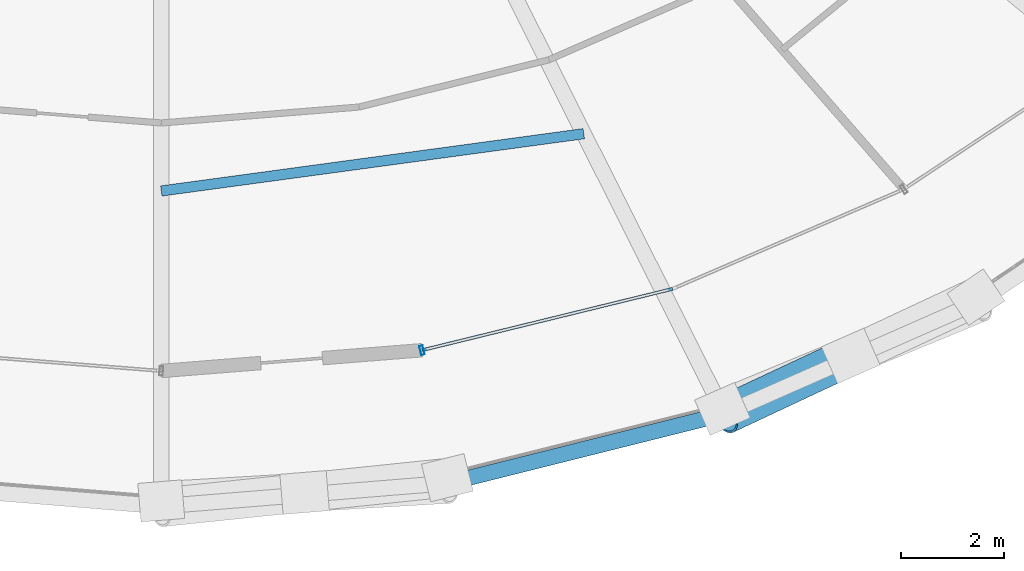
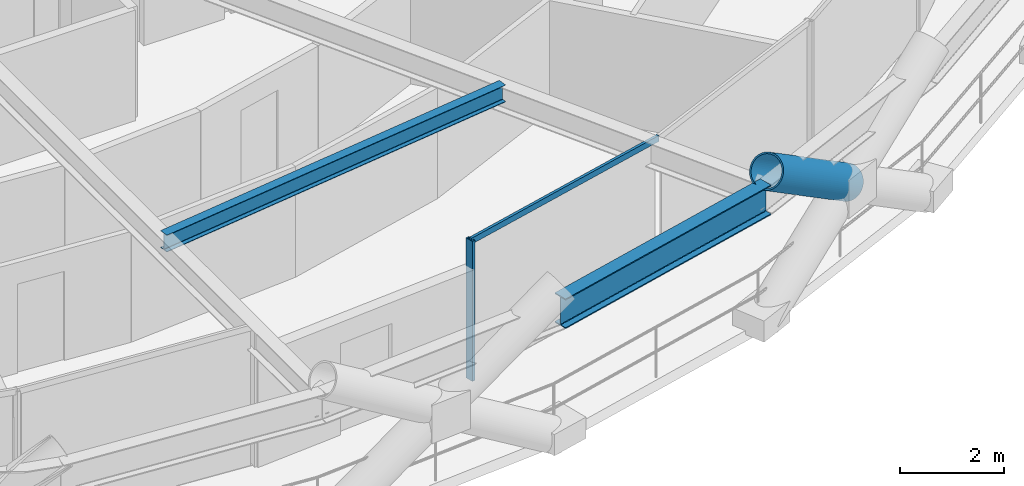
# One storey, part 7 of 19: 3 members, 2 beams, 1 element without a shape of its own.
"""IFC4 building model written with IfcOpenShell, lengths in metres."""

from ifc_helpers import new_model, si_unit, direction, frame, origin, origin_2d, place, context, subcontext, project, spatial, hollow_rectangle, hollow_circle, i_section, extrude, material, layer, layer_set, material_profile, profile_set, type_object, element, aggregate, save


model = new_model("IFC4")

# Units and contexts
model_context = context("Model", 3, precision=1e-05, world=origin(), true_north=direction((0.0, 1.0)))
body_context = subcontext(model_context, "Body", "Model", "MODEL_VIEW")
ifc_project = project(units=[si_unit("LENGTHUNIT", "METRE"), si_unit("AREAUNIT", "SQUARE_METRE"), si_unit("VOLUMEUNIT", "CUBIC_METRE"), si_unit("PLANEANGLEUNIT", "RADIAN"), si_unit("MASSUNIT", "GRAM", prefix="KILO")], contexts=[model_context])

# Site, building, storey
site_placement = place(None, origin())
site = spatial("IfcSite", under=ifc_project, at=site_placement, CompositionType="ELEMENT")
building_placement = place(site_placement, origin())
building = spatial("IfcBuilding", under=site, at=building_placement, Name="Veldorina Hangang Commons", CompositionType="ELEMENT")
storey_placement = place(building_placement, frame((0.0, 0.0, 52.0)))
storey = spatial("IfcBuildingStorey", under=building, at=storey_placement, Name="L12", CompositionType="ELEMENT", Elevation=52.0)

# Beams
ifc_material_1 = material(Name="Steel SM355-TMC", Category="steel")
ifc_material_profile_1 = material_profile(ifc_material_1, i_section(OverallWidth=0.199951171875, OverallDepth=0.39990234375, WebThickness=0.008056640625, FlangeThickness=0.012939453125, FilletRadius=0.012939453125, at=origin_2d()), Name="H-400x200x8x13")
ifc_profile_set_1 = profile_set([ifc_material_profile_1], Name="Steel SM355-TMC")
beam_type_1 = type_object("IfcBeamType", Name="BM-JST400", PredefinedType="JOIST", material=ifc_profile_set_1)
beam_1_placement = place(storey_placement, frame((32.0, 6.57470703125, 3.139892578125), z_axis=(0.990933554114, 0.134352861266, 0.0), x_axis=(-0.134352861266, 0.990933554114, 0.0)))
element("IfcBeam", 1, at=beam_1_placement, inside=storey, type_object=beam_type_1, Name="L12 secondary floor joist 13", PredefinedType="JOIST", context=body_context, shape_type="SweptSolid", body=[
    extrude(i_section(OverallWidth=0.199951171875, OverallDepth=0.39990234375, WebThickness=0.008056640625, FlangeThickness=0.012939453125, FilletRadius=0.012939453125, at=origin_2d()), origin(), (0.0, 0.0, 1.0), 8.26806640625),
])
ifc_material_2 = material(Name="Steel SM460-TMC", Category="steel")
ifc_material_profile_2 = material_profile(ifc_material_2, i_section(OverallWidth=0.300048828125, OverallDepth=0.699951171875, WebThickness=0.012939453125, FlangeThickness=0.02392578125, FilletRadius=0.02197265625, at=origin_2d()), Name="H-700x300x13x24")
ifc_profile_set_2 = profile_set([ifc_material_profile_2], Name="Steel SM460-TMC")
beam_type_2 = type_object("IfcBeamType", Name="BM-RB700", PredefinedType="BEAM", material=ifc_profile_set_2)
beam_2_placement = place(storey_placement, frame((37.567626953125, 0.912841796875, 2.989990234375), z_axis=(0.970095643929, 0.242722973016, 0.0), x_axis=(-0.242722973016, 0.970095643929, 0.0)))
element("IfcBeam", 2, at=beam_2_placement, inside=storey, type_object=beam_type_2, Name="L12 perimeter hoop ring beam 25", PredefinedType="BEAM", context=body_context, shape_type="SweptSolid", body=[
    extrude(i_section(OverallWidth=0.300048828125, OverallDepth=0.699951171875, WebThickness=0.012939453125, FlangeThickness=0.02392578125, FilletRadius=0.02197265625, at=origin_2d()), origin(), (0.0, 0.0, 1.0), 5.51904296875),
])

# Curtain wall, members
ifc_material_3 = material(Name="Glass Low-E Triple IGU", Category="glass")
ifc_layer = layer(ifc_material_3, 0.179931640625)
ifc_layer_set = layer_set([ifc_layer], Name="Glass Low-E Triple IGU")
curtain_wall_type = type_object("IfcCurtainWallType", Name="CW-SYS-Z1", PredefinedType="NOTDEFINED", material=ifc_layer_set)
curtain_wall_placement = place(storey_placement, origin())
curtain_wall = element("IfcCurtainWall", 3, at=curtain_wall_placement, inside=storey, type_object=curtain_wall_type, Name="L12 unitised curtain wall CW-L12-R2", PredefinedType="NOTDEFINED")
ifc_material_4 = material(Name="Aluminium Anodized AA6063-T6", Category="aluminium")
ifc_material_profile_3 = material_profile(ifc_material_4, hollow_rectangle(XDim=0.070068359375, YDim=0.179931640625, WallThickness=0.00390625, at=origin_2d()), Name="ALU-RHS-180x70x4")
ifc_profile_set_3 = profile_set([ifc_material_profile_3], Name="Aluminium Anodized AA6063-T6")
member_type_1 = type_object("IfcMemberType", Name="CW-MUL-180", PredefinedType="MULLION", material=ifc_profile_set_3)
member_1_placement = place(storey_placement, frame((37.055908203125, 3.48681640625, 0.0), z_axis=(0.0, 0.0, 1.0), x_axis=(0.971313023754, 0.237804562373, 0.0)))
member_1 = element("IfcMember", 4, at=member_1_placement, type_object=member_type_1, Name="CW-L12-R2 vertical mullion 1", PredefinedType="MULLION", context=body_context, shape_type="SweptSolid", body=[
    extrude(hollow_rectangle(XDim=0.070068359375, YDim=0.179931640625, WallThickness=0.00390625, at=origin_2d()), origin(), (0.0, 0.0, 1.0), 3.300048828125),
])
ifc_material_profile_4 = material_profile(ifc_material_4, hollow_rectangle(XDim=0.06005859375, YDim=0.139892578125, WallThickness=0.00341796875, at=origin_2d()), Name="ALU-RHS-140x60x3.5")
ifc_profile_set_4 = profile_set([ifc_material_profile_4], Name="Aluminium Anodized AA6063-T6")
member_type_2 = type_object("IfcMemberType", Name="CW-TRN-140", PredefinedType="USERDEFINED", material=ifc_profile_set_4)
member_2_placement = place(storey_placement, frame((37.055908203125, 3.48681640625, 3.260009765625), z_axis=(0.971313179836, 0.237803924854, 0.0), x_axis=(-0.237803924854, 0.971313179836, 0.0)))
member_2 = element("IfcMember", 5, at=member_2_placement, type_object=member_type_2, Name="CW-L12-R2 facet 1 transom 1", ObjectType="TRANSOM", PredefinedType="USERDEFINED", context=body_context, shape_type="SweptSolid", body=[
    extrude(hollow_rectangle(XDim=0.06005859375, YDim=0.139892578125, WallThickness=0.00341796875, at=origin_2d()), origin(), (0.0, 0.0, 1.0), 5.0048828125),
])
aggregate(curtain_wall, [member_1, member_2])

# Member
ifc_material_profile_5 = material_profile(ifc_material_2, hollow_circle(Radius=0.375, WallThickness=0.035888671875, at=origin_2d()), Name="CHS-750x36")
ifc_profile_set_5 = profile_set([ifc_material_profile_5], Name="Steel SM460-TMC")
member_type_3 = type_object("IfcMemberType", Name="DG-CHS750", PredefinedType="BRACE", material=ifc_profile_set_5)
member_3_placement = place(storey_placement, frame((45.368896484375, 3.376953125, 1.7958984375), z_axis=(-0.752265287688, -0.352829059965, 0.556424829949), x_axis=(0.424635851623, -0.905364232515, 0.0)))
element("IfcMember", 6, at=member_3_placement, inside=storey, type_object=member_type_3, Name="L12 split perimeter diagrid upper brace 27", PredefinedType="BRACE", context=body_context, shape_type="SweptSolid", body=[
    extrude(hollow_circle(Radius=0.375, WallThickness=0.035888671875, at=origin_2d()), origin(), (0.0, 0.0, 1.0), 3.242431640625),
])

save(model, "model.ifc")
